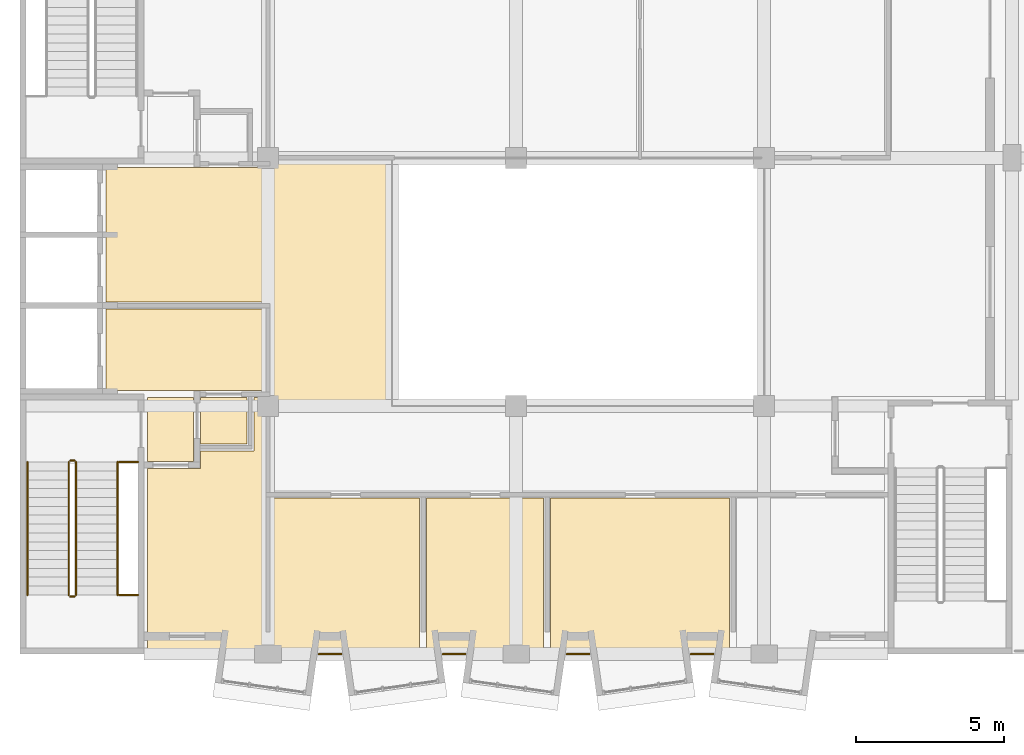
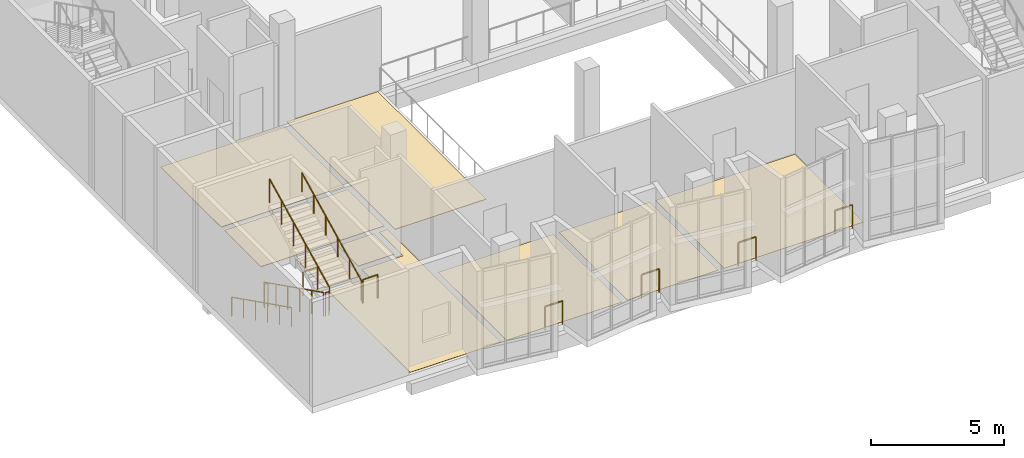
# One storey, part 58 of 67: 12 railings, 9 coverings.
"""IFC4 building model written with IfcOpenShell, lengths in metres."""

from ifc_helpers import new_model, si_unit, direction, frame, origin, origin_2d, place, context, subcontext, project, spatial, polyline, circle, outline, extrude, material, layer, layer_set, type_object, element, save


model = new_model("IFC4")

# Units and contexts
model_context = context("Model", 3, precision=1e-05, world=origin(), true_north=direction((0.0, 1.0)))
body_context = subcontext(model_context, "Body", "Model", "MODEL_VIEW")
ifc_project = project(units=[si_unit("LENGTHUNIT", "METRE"), si_unit("AREAUNIT", "SQUARE_METRE"), si_unit("VOLUMEUNIT", "CUBIC_METRE"), si_unit("PLANEANGLEUNIT", "RADIAN"), si_unit("MASSUNIT", "GRAM", prefix="KILO")], contexts=[model_context])

# Site, building, storey
site_placement = place(None, origin())
site = spatial("IfcSite", under=ifc_project, at=site_placement, CompositionType="ELEMENT")
building_placement = place(site_placement, origin())
building = spatial("IfcBuilding", under=site, at=building_placement, Name="Kiln Court Media Centre", CompositionType="ELEMENT")
storey_placement = place(building_placement, frame((0.0, 0.0, 19.800048828125)))
storey = spatial("IfcBuildingStorey", under=building, at=storey_placement, Name="L04", CompositionType="ELEMENT", Elevation=19.800048828125)

# Coverings
ifc_material_1 = material(Name="Carpet tile")
ifc_layer_1 = layer(ifc_material_1, 0.014892578125)
ifc_layer_set_1 = layer_set([ifc_layer_1], Name="Carpet tile floor finish 15")
covering_type_1 = type_object("IfcCoveringType", Name="Carpet tile floor finish 15", PredefinedType="FLOORING", material=ifc_layer_set_1)
covering_1_placement = place(storey_placement, origin())
element("IfcCovering", 1, at=covering_1_placement, inside=storey, type_object=covering_type_1, Name="Editing Suite 1 floor finish", PredefinedType="FLOORING", context=body_context, shape_type="SweptSolid", body=[
    extrude(outline(polyline([(8.52001953125, 0.1201171875), (13.530029296875, 0.1201171875), (13.530029296875, 5.280029296875), (8.52001953125, 5.280029296875), (8.52001953125, 0.1201171875)])), origin(), (0.0, 0.0, 1.0), 0.014892578125),
])
covering_2_placement = place(storey_placement, origin())
element("IfcCovering", 2, at=covering_2_placement, inside=storey, type_object=covering_type_1, Name="Editing Suite 2 floor finish", PredefinedType="FLOORING", context=body_context, shape_type="SweptSolid", body=[
    extrude(outline(polyline([(13.77001953125, 0.1201171875), (17.72998046875, 0.1201171875), (17.72998046875, 5.280029296875), (13.77001953125, 5.280029296875), (13.77001953125, 0.1201171875)])), origin(), (0.0, 0.0, 1.0), 0.014892578125),
])
covering_3_placement = place(storey_placement, origin())
element("IfcCovering", 3, at=covering_3_placement, inside=storey, type_object=covering_type_1, Name="Editing Suite 3 floor finish", PredefinedType="FLOORING", context=body_context, shape_type="SweptSolid", body=[
    extrude(outline(polyline([(17.969970703125, 0.1201171875), (24.030029296875, 0.1201171875), (24.030029296875, 5.280029296875), (17.969970703125, 5.280029296875), (17.969970703125, 0.1201171875)])), origin(), (0.0, 0.0, 1.0), 0.014892578125),
])
ifc_material_2 = material(Name="Ceramic tile")
ifc_layer_2 = layer(ifc_material_2, 0.011962890625)
ifc_layer_set_2 = layer_set([ifc_layer_2], Name="Ceramic tile floor finish 12")
covering_type_2 = type_object("IfcCoveringType", Name="Ceramic tile floor finish 12", PredefinedType="FLOORING", material=ifc_layer_set_2)
covering_4_placement = place(storey_placement, origin())
element("IfcCovering", 4, at=covering_4_placement, inside=storey, type_object=covering_type_2, Name="Toilets and Accessible WC floor finish", PredefinedType="FLOORING", context=body_context, shape_type="SweptSolid", body=[
    extrude(outline(polyline([(8.280029296875, 8.679931640625), (7.919921875, 8.679931640625), (7.919921875, 6.8798828125), (6.1201171875, 6.8798828125), (6.1201171875, 6.280029296875), (4.320068359375, 6.280029296875), (4.320068359375, 0.1201171875), (8.280029296875, 0.1201171875), (8.280029296875, 8.679931640625)])), origin(), (0.0, 0.0, 1.0), 0.011962890625),
])
ifc_material_3 = material(Name="Terrazzo")
ifc_layer_3 = layer(ifc_material_3, 0.02490234375)
ifc_layer_set_3 = layer_set([ifc_layer_3], Name="Polished terrazzo floor finish 25")
covering_type_3 = type_object("IfcCoveringType", Name="Polished terrazzo floor finish 25", PredefinedType="FLOORING", material=ifc_layer_set_3)
covering_5_placement = place(storey_placement, origin())
element("IfcCovering", 5, at=covering_5_placement, inside=storey, type_object=covering_type_3, Name="Stair 1 Vestibule floor finish", PredefinedType="FLOORING", context=body_context, shape_type="SweptSolid", body=[
    extrude(outline(polyline([(4.320068359375, 6.52001953125), (5.8798828125, 6.52001953125), (5.8798828125, 8.679931640625), (4.320068359375, 8.679931640625), (4.320068359375, 6.52001953125)])), origin(), (0.0, 0.0, 1.0), 0.02490234375),
])
covering_6_placement = place(storey_placement, origin())
element("IfcCovering", 6, at=covering_6_placement, inside=storey, type_object=covering_type_3, Name="Wheelchair Refuge floor finish", PredefinedType="FLOORING", context=body_context, shape_type="SweptSolid", body=[
    extrude(outline(polyline([(6.1201171875, 7.1201171875), (7.679931640625, 7.1201171875), (7.679931640625, 8.679931640625), (6.1201171875, 8.679931640625), (6.1201171875, 7.1201171875)])), origin(), (0.0, 0.0, 1.0), 0.02490234375),
])
covering_7_placement = place(storey_placement, origin())
element("IfcCovering", 7, at=covering_7_placement, inside=storey, type_object=covering_type_3, Name="Production Corridor floor finish", PredefinedType="FLOORING", context=body_context, shape_type="SweptSolid", body=[
    extrude(outline(polyline([(8.52001953125, 8.52001953125), (12.47998046875, 8.52001953125), (12.47998046875, 16.679931640625), (8.52001953125, 16.679931640625), (8.52001953125, 8.52001953125)])), origin(), (0.0, 0.0, 1.0), 0.02490234375),
])
covering_8_placement = place(storey_placement, origin())
element("IfcCovering", 8, at=covering_8_placement, inside=storey, type_object=covering_type_3, Name="Fire-fighting Lift Lobby floor finish", PredefinedType="FLOORING", context=body_context, shape_type="SweptSolid", body=[
    extrude(outline(polyline([(2.919921875, 8.919921875), (8.280029296875, 8.919921875), (8.280029296875, 11.679931640625), (2.919921875, 11.679931640625), (2.919921875, 8.919921875)])), origin(), (0.0, 0.0, 1.0), 0.02490234375),
])
covering_9_placement = place(storey_placement, origin())
element("IfcCovering", 9, at=covering_9_placement, inside=storey, type_object=covering_type_3, Name="Passenger Lift Lobby floor finish", PredefinedType="FLOORING", context=body_context, shape_type="SweptSolid", body=[
    extrude(outline(polyline([(2.919921875, 11.919921875), (8.280029296875, 11.919921875), (8.280029296875, 16.47998046875), (2.919921875, 16.47998046875), (2.919921875, 11.919921875)])), origin(), (0.0, 0.0, 1.0), 0.02490234375),
])

# Railings
ifc_material_4 = material(Name="Steel S275", Category="steel")
railing_type_1 = type_object("IfcRailingType", Name="Steel S275 balustrade guard 1100", PredefinedType="GUARDRAIL", material=ifc_material_4)
for number, where, name in (
    (10, (23.482421875, 0.0, 0.0), "L04 slab notch guard"),
    (11, (19.2822265625, 0.0, 0.0), "L04 slab notch guard"),
    (12, (15.082275390625, 0.0, 0.0), "L04 slab notch guard"),
    (13, (10.88232421875, 0.0, 0.0), "L04 slab notch guard"),
):
    element("IfcRailing", number, at=place(storey_placement, frame(where)), inside=storey, type_object=railing_type_1, Name=name, PredefinedType="GUARDRAIL", context=body_context, shape_type="SweptSolid", body=[
        extrude(circle(Radius=0.02392578125, at=origin_2d()), frame((0.0, 0.0, 1.076171875), z_axis=(-1.0, 0.0, 0.0), x_axis=(0.0, -1.0, 0.0)), (0.0, 0.0, 1.0), 0.7646484375),
        extrude(circle(Radius=0.02099609375, at=origin_2d()), origin(), (0.0, 0.0, 1.0), 1.052001953125),
        extrude(circle(Radius=0.02099609375, at=origin_2d()), frame((-0.7646484375, 0.0, 0.0)), (0.0, 0.0, 1.0), 1.052001953125),
    ])
ifc_material_5 = material(Name="Steel S275", Category="steel")
railing_type_2 = type_object("IfcRailingType", Name="Steel S275 stair guard 1100", PredefinedType="GUARDRAIL", material=ifc_material_5)
railing_1_placement = place(storey_placement, frame((1.64990234375, 6.5, 0.14990234375)))
element("IfcRailing", 14, at=railing_1_placement, inside=storey, type_object=railing_type_2, Name="ST-01 stair guard", PredefinedType="GUARDRAIL", context=body_context, shape_type="SweptSolid", body=[
    extrude(circle(Radius=0.02392578125, at=origin_2d()), frame((0.0, 0.0, 1.076171875), z_axis=(0.0, -0.894427191, 0.4472135955), x_axis=(1.0, 0.0, 0.0)), (0.0, 0.0, 1.0), 5.03125),
    extrude(circle(Radius=0.02099609375, at=origin_2d()), origin(), (0.0, 0.0, 1.0), 1.052001953125),
    extrude(circle(Radius=0.02099609375, at=origin_2d()), frame((0.0, -0.89990234375, 0.449951171875)), (0.0, 0.0, 1.0), 1.052001953125),
    extrude(circle(Radius=0.02099609375, at=origin_2d()), frame((0.0, -1.800048828125, 0.89990234375)), (0.0, 0.0, 1.0), 1.052001953125),
    extrude(circle(Radius=0.02099609375, at=origin_2d()), frame((0.0, -2.699951171875, 1.35009765625)), (0.0, 0.0, 1.0), 1.052001953125),
    extrude(circle(Radius=0.02099609375, at=origin_2d()), frame((0.0, -3.60009765625, 1.800048828125)), (0.0, 0.0, 1.0), 1.052001953125),
    extrude(circle(Radius=0.02099609375, at=origin_2d()), frame((0.0, -4.5, 2.25)), (0.0, 0.0, 1.0), 1.052001953125),
])
railing_2_placement = place(storey_placement, frame((1.699951171875, 1.949951171875, 2.39990234375)))
element("IfcRailing", 15, at=railing_2_placement, inside=storey, type_object=railing_type_2, Name="ST-01 stair guard", PredefinedType="GUARDRAIL", context=body_context, shape_type="SweptSolid", body=[
    extrude(circle(Radius=0.02392578125, at=origin_2d()), frame((0.0, 0.0, 1.076171875), z_axis=(1.0, 0.0, 0.0), x_axis=(0.0, 1.0, 0.0)), (0.0, 0.0, 1.0), 0.150146484375),
    extrude(circle(Radius=0.02099609375, at=origin_2d()), origin(), (0.0, 0.0, 1.0), 1.052001953125),
    extrude(circle(Radius=0.02099609375, at=origin_2d()), frame((0.150146484375, 0.0, 0.0)), (0.0, 0.0, 1.0), 1.052001953125),
])
railing_3_placement = place(storey_placement, frame((1.89990234375, 2.0, 2.550048828125)))
element("IfcRailing", 16, at=railing_3_placement, inside=storey, type_object=railing_type_2, Name="ST-01 stair guard", PredefinedType="GUARDRAIL", context=body_context, shape_type="SweptSolid", body=[
    extrude(circle(Radius=0.02392578125, at=origin_2d()), frame((0.0, 0.0, 1.076171875), z_axis=(0.0, 0.894427191, 0.4472135955), x_axis=(-1.0, 0.0, 0.0)), (0.0, 0.0, 1.0), 5.03125),
    extrude(circle(Radius=0.02099609375, at=origin_2d()), origin(), (0.0, 0.0, 1.0), 1.052001953125),
    extrude(circle(Radius=0.02099609375, at=origin_2d()), frame((0.0, 0.89990234375, 0.449951171875)), (0.0, 0.0, 1.0), 1.052001953125),
    extrude(circle(Radius=0.02099609375, at=origin_2d()), frame((0.0, 1.800048828125, 0.89990234375)), (0.0, 0.0, 1.0), 1.052001953125),
    extrude(circle(Radius=0.02099609375, at=origin_2d()), frame((0.0, 2.699951171875, 1.35009765625)), (0.0, 0.0, 1.0), 1.052001953125),
    extrude(circle(Radius=0.02099609375, at=origin_2d()), frame((0.0, 3.60009765625, 1.800048828125)), (0.0, 0.0, 1.0), 1.052001953125),
    extrude(circle(Radius=0.02099609375, at=origin_2d()), frame((0.0, 4.5, 2.25)), (0.0, 0.0, 1.0), 1.052001953125),
])
railing_4_placement = place(storey_placement, frame((1.699951171875, 6.550048828125, 0.0)))
element("IfcRailing", 17, at=railing_4_placement, inside=storey, type_object=railing_type_2, Name="ST-01 stair guard", PredefinedType="GUARDRAIL", context=body_context, shape_type="SweptSolid", body=[
    extrude(circle(Radius=0.02392578125, at=origin_2d()), frame((0.0, 0.0, 1.076171875), z_axis=(1.0, 0.0, 0.0), x_axis=(0.0, 1.0, 0.0)), (0.0, 0.0, 1.0), 0.150146484375),
    extrude(circle(Radius=0.02099609375, at=origin_2d()), origin(), (0.0, 0.0, 1.0), 1.052001953125),
    extrude(circle(Radius=0.02099609375, at=origin_2d()), frame((0.150146484375, 0.0, 0.0)), (0.0, 0.0, 1.0), 1.052001953125),
])
for number, where, name in (
    (18, (3.35009765625, 2.0, 2.39990234375), "ST-01 landing edge guard"),
    (19, (3.35009765625, 6.5, 0.0), "ST-01 landing edge guard"),
):
    element("IfcRailing", number, at=place(storey_placement, frame(where)), inside=storey, type_object=railing_type_2, Name=name, PredefinedType="GUARDRAIL", context=body_context, shape_type="SweptSolid", body=[
        extrude(circle(Radius=0.02392578125, at=origin_2d()), frame((0.0, 0.0, 1.076171875), z_axis=(1.0, 0.0, 0.0), x_axis=(0.0, 1.0, 0.0)), (0.0, 0.0, 1.0), 0.64990234375),
        extrude(circle(Radius=0.02099609375, at=origin_2d()), origin(), (0.0, 0.0, 1.0), 1.052001953125),
        extrude(circle(Radius=0.02099609375, at=origin_2d()), frame((0.64990234375, 0.0, 0.0)), (0.0, 0.0, 1.0), 1.052001953125),
    ])
ifc_material_6 = material(Name="Steel S275", Category="steel")
railing_type_3 = type_object("IfcRailingType", Name="Steel S275 stair handrail 900", PredefinedType="HANDRAIL", material=ifc_material_6)
railing_5_placement = place(storey_placement, frame((0.25, 6.5, 0.14990234375)))
element("IfcRailing", 20, at=railing_5_placement, inside=storey, type_object=railing_type_3, Name="ST-01 stair handrail", PredefinedType="HANDRAIL", context=body_context, shape_type="SweptSolid", body=[
    extrude(circle(Radius=0.02392578125, at=origin_2d()), frame((0.0, 0.0, 0.8759765625), z_axis=(0.0, -0.894427191, 0.4472135955), x_axis=(1.0, 0.0, 0.0)), (0.0, 0.0, 1.0), 5.03125),
    extrude(circle(Radius=0.02099609375, at=origin_2d()), origin(), (0.0, 0.0, 1.0), 0.851806640625),
    extrude(circle(Radius=0.02099609375, at=origin_2d()), frame((0.0, -0.89990234375, 0.449951171875)), (0.0, 0.0, 1.0), 0.851806640625),
    extrude(circle(Radius=0.02099609375, at=origin_2d()), frame((0.0, -1.800048828125, 0.89990234375)), (0.0, 0.0, 1.0), 0.851806640625),
    extrude(circle(Radius=0.02099609375, at=origin_2d()), frame((0.0, -2.699951171875, 1.35009765625)), (0.0, 0.0, 1.0), 0.851806640625),
    extrude(circle(Radius=0.02099609375, at=origin_2d()), frame((0.0, -3.60009765625, 1.800048828125)), (0.0, 0.0, 1.0), 0.851806640625),
    extrude(circle(Radius=0.02099609375, at=origin_2d()), frame((0.0, -4.5, 2.25)), (0.0, 0.0, 1.0), 0.851806640625),
])
railing_6_placement = place(storey_placement, frame((3.300048828125, 2.0, 2.550048828125)))
element("IfcRailing", 21, at=railing_6_placement, inside=storey, type_object=railing_type_3, Name="ST-01 stair handrail", PredefinedType="HANDRAIL", context=body_context, shape_type="SweptSolid", body=[
    extrude(circle(Radius=0.02392578125, at=origin_2d()), frame((0.0, 0.0, 0.8759765625), z_axis=(0.0, 0.894427191, 0.4472135955), x_axis=(-1.0, 0.0, 0.0)), (0.0, 0.0, 1.0), 5.03125),
    extrude(circle(Radius=0.02099609375, at=origin_2d()), origin(), (0.0, 0.0, 1.0), 0.851806640625),
    extrude(circle(Radius=0.02099609375, at=origin_2d()), frame((0.0, 0.89990234375, 0.449951171875)), (0.0, 0.0, 1.0), 0.851806640625),
    extrude(circle(Radius=0.02099609375, at=origin_2d()), frame((0.0, 1.800048828125, 0.89990234375)), (0.0, 0.0, 1.0), 0.851806640625),
    extrude(circle(Radius=0.02099609375, at=origin_2d()), frame((0.0, 2.699951171875, 1.35009765625)), (0.0, 0.0, 1.0), 0.851806640625),
    extrude(circle(Radius=0.02099609375, at=origin_2d()), frame((0.0, 3.60009765625, 1.800048828125)), (0.0, 0.0, 1.0), 0.851806640625),
    extrude(circle(Radius=0.02099609375, at=origin_2d()), frame((0.0, 4.5, 2.25)), (0.0, 0.0, 1.0), 0.851806640625),
])

save(model, "model.ifc")
